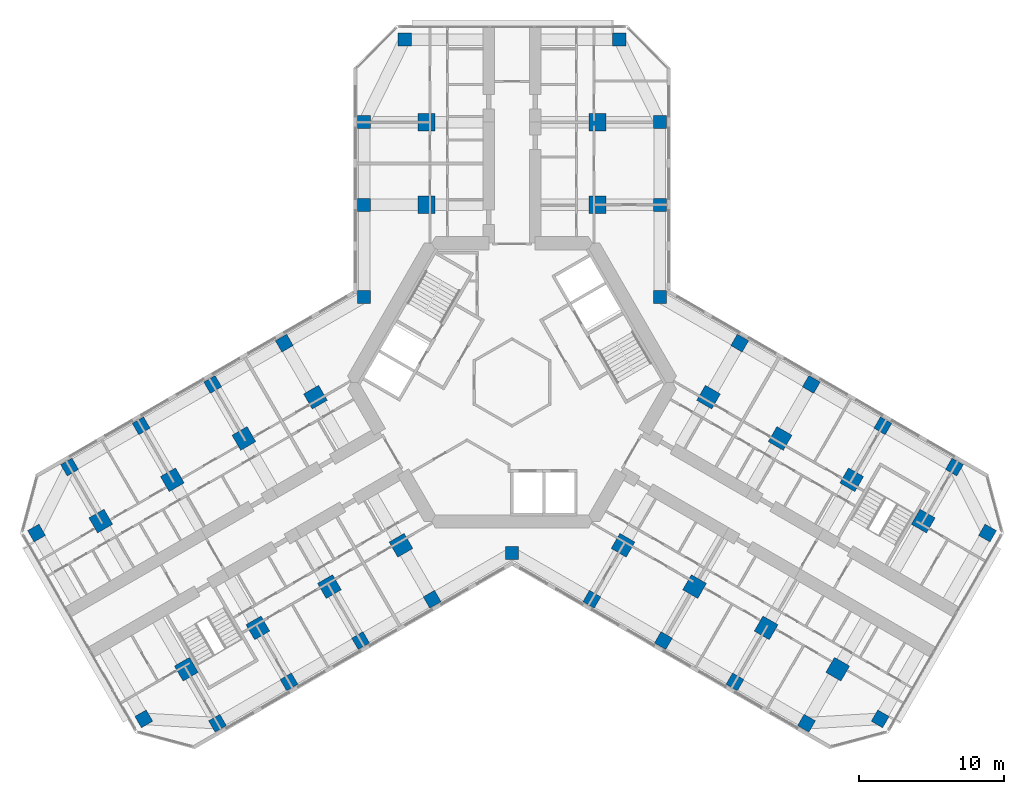
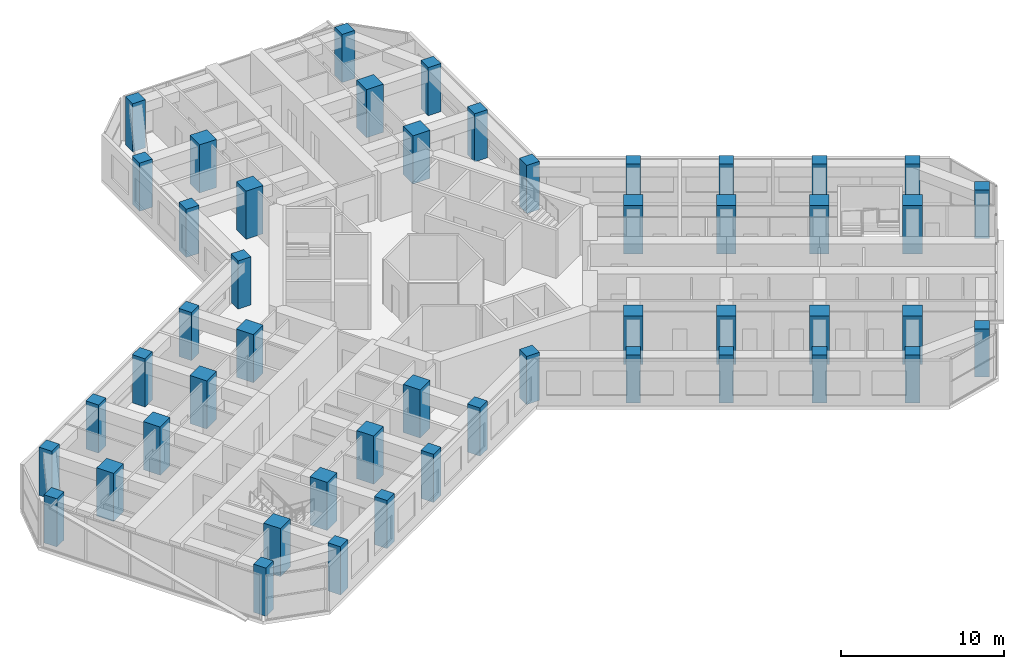
# One storey, part 1 of 19: 49 columns.
"""IFC4 building model written with IfcOpenShell, lengths in metres."""

from ifc_helpers import new_model, si_unit, direction, frame, origin, origin_2d, place, context, subcontext, project, spatial, rectangle, extrude, material, material_profile, profile_set, type_object, element, save


model = new_model("IFC4")

# Units and contexts
model_context = context("Model", 3, precision=1e-05, world=origin(), true_north=direction((0.0, 1.0)))
body_context = subcontext(model_context, "Body", "Model", "MODEL_VIEW")
ifc_project = project(units=[si_unit("LENGTHUNIT", "METRE"), si_unit("AREAUNIT", "SQUARE_METRE"), si_unit("VOLUMEUNIT", "CUBIC_METRE"), si_unit("PLANEANGLEUNIT", "RADIAN"), si_unit("MASSUNIT", "GRAM", prefix="KILO")], contexts=[model_context])

# Site, building, storey
site_placement = place(None, origin())
site = spatial("IfcSite", under=ifc_project, at=site_placement, CompositionType="ELEMENT")
building_placement = place(site_placement, origin())
building = spatial("IfcBuilding", under=site, at=building_placement, Name="Kosmar Iwan School Tower", CompositionType="ELEMENT")
storey_placement = place(building_placement, frame((0.0, 0.0, 134.60009765625)))
storey = spatial("IfcBuildingStorey", under=building, at=storey_placement, Name="L33", CompositionType="ELEMENT", Elevation=134.60009765625)

# Columns
ifc_material_1 = material(Name="Concrete C50/60", Category="concrete")
ifc_material_profile_1 = material_profile(ifc_material_1, rectangle(XDim=0.89990234375, YDim=0.89990234375, at=origin_2d()), Name="RC 900x900 + HD 400x634")
ifc_profile_set_1 = profile_set([ifc_material_profile_1], Name="Concrete C50/60")
column_type_1 = type_object("IfcColumnType", Name="Composite column 900x900 HD 400x634", PredefinedType="COLUMN", material=ifc_profile_set_1)
for number, where, z_axis, x_axis, name in (
    (1, (-10.199951171875, 12.25, 0.0), (0.0, 0.0, 1.0), (0.0, 1.0, 0.0), "Column AL1 L33"),
    (2, (-10.199951171875, 17.949951171875, 0.0), (0.0, 0.0, 1.0), (0.0, 1.0, 0.0), "Column AL2 L33"),
    (3, (-7.39990234375, 23.64990234375, 0.0), (0.0, 0.0, 1.0), (0.0, 1.0, 0.0), "Column ALTIP L33"),
    (4, (10.199951171875, 12.25, 0.0), (0.0, 0.0, 1.0), (0.0, 1.0, 0.0), "Column AR1 L33"),
    (5, (10.199951171875, 17.949951171875, 0.0), (0.0, 0.0, 1.0), (0.0, 1.0, 0.0), "Column AR2 L33"),
    (6, (7.39990234375, 23.64990234375, 0.0), (0.0, 0.0, 1.0), (0.0, 1.0, 0.0), "Column ARTIP L33"),
    (7, (-5.5087890625, -14.95849609375, 0.0), (0.0, 0.0, 1.0), (-0.866025403784, -0.5, 0.0), "Column BL1 L33"),
    (8, (-10.445068359375, -17.808349609375, 0.0), (0.0, 0.0, 1.0), (-0.866025403784, -0.5, 0.0), "Column BL2 L33"),
    (9, (-15.381591796875, -20.658447265625, 0.0), (0.0, 0.0, 1.0), (-0.866025403784, -0.5, 0.0), "Column BL3 L33"),
    (10, (-20.31787109375, -23.508544921875, 0.0), (0.0, 0.0, 1.0), (-0.866025403784, -0.5, 0.0), "Column BL4 L33"),
    (11, (-25.3984375, -23.20849609375, 0.0), (0.0, 0.0, 1.0), (-0.866025403784, -0.5, 0.0), "Column BLTIP L33"),
    (12, (-15.708740234375, 2.70849609375, 0.0), (0.0, 0.0, 1.0), (-0.866025403784, -0.5, 0.0), "Column BR1 L33"),
    (13, (-20.645263671875, -0.1416015625, 0.0), (0.0, 0.0, 1.0), (-0.866025403784, -0.5, 0.0), "Column BR2 L33"),
    (14, (-25.58154296875, -2.991455078125, 0.0), (0.0, 0.0, 1.0), (-0.866025403784, -0.5, 0.0), "Column BR3 L33"),
    (15, (-30.517822265625, -5.841552734375, 0.0), (0.0, 0.0, 1.0), (-0.866025403784, -0.5, 0.0), "Column BR4 L33"),
    (16, (-32.79833984375, -10.391357421875, 0.0), (0.0, 0.0, 1.0), (-0.866025403784, -0.5, 0.0), "Column BRTIP L33"),
    (17, (15.708740234375, 2.70849609375, 0.0), (0.0, 0.0, 1.0), (0.866025403784, -0.5, 0.0), "Column CL1 L33"),
    (18, (20.645263671875, -0.1416015625, 0.0), (0.0, 0.0, 1.0), (0.866025403784, -0.5, 0.0), "Column CL2 L33"),
    (19, (25.58154296875, -2.991455078125, 0.0), (0.0, 0.0, 1.0), (0.866025403784, -0.5, 0.0), "Column CL3 L33"),
    (20, (30.517822265625, -5.841552734375, 0.0), (0.0, 0.0, 1.0), (0.866025403784, -0.5, 0.0), "Column CL4 L33"),
    (21, (32.79833984375, -10.391357421875, 0.0), (0.0, 0.0, 1.0), (0.866025403784, -0.5, 0.0), "Column CLTIP L33"),
    (22, (5.5087890625, -14.95849609375, 0.0), (0.0, 0.0, 1.0), (0.866025403784, -0.5, 0.0), "Column CR1 L33"),
    (23, (10.445068359375, -17.808349609375, 0.0), (0.0, 0.0, 1.0), (0.866025403784, -0.5, 0.0), "Column CR2 L33"),
    (24, (15.381591796875, -20.658447265625, 0.0), (0.0, 0.0, 1.0), (0.866025403784, -0.5, 0.0), "Column CR3 L33"),
    (25, (20.31787109375, -23.508544921875, 0.0), (0.0, 0.0, 1.0), (0.866025403784, -0.5, 0.0), "Column CR4 L33"),
    (26, (25.3984375, -23.20849609375, 0.0), (0.0, 0.0, 1.0), (0.866025403784, -0.5, 0.0), "Column CRTIP L33"),
    (27, (-10.199951171875, 5.888916015625, 0.0), (0.0, 0.0, 1.0), (1.0, 0.0, 0.0), "Column RAB L33"),
    (28, (10.199951171875, 5.888916015625, 0.0), (0.0, 0.0, 1.0), (1.0, 0.0, 0.0), "Column RAC L33"),
    (29, (0.0, -11.77783203125, 0.0), (0.0, 0.0, 1.0), (1.0, 0.0, 0.0), "Column RBC L33"),
):
    element("IfcColumn", number, at=place(storey_placement, frame(where, z_axis=z_axis, x_axis=x_axis)), inside=storey, type_object=column_type_1, Name=name, PredefinedType="COLUMN", context=body_context, shape_type="SweptSolid", body=[
        extrude(rectangle(XDim=0.89990234375, YDim=0.89990234375, at=origin_2d()), origin(), (0.0, 0.0, 1.0), 3.599853515625),
    ])
ifc_material_2 = material(Name="Concrete C50/60", Category="concrete")
ifc_material_profile_2 = material_profile(ifc_material_2, rectangle(XDim=1.199951171875, YDim=1.199951171875, at=origin_2d()), Name="RC 1200x1200")
ifc_profile_set_2 = profile_set([ifc_material_profile_2], Name="Concrete C50/60")
column_type_2 = type_object("IfcColumnType", Name="RC interior column 1200x1200", PredefinedType="COLUMN", material=ifc_profile_set_2)
for number, where, z_axis, x_axis, name in (
    (30, (-5.89990234375, 12.25, 0.0), (0.0, 0.0, 1.0), (0.0, 1.0, 0.0), "Interior column ALI1 L33"),
    (31, (-5.89990234375, 17.949951171875, 0.0), (0.0, 0.0, 1.0), (0.0, 1.0, 0.0), "Interior column ALI2 L33"),
    (32, (5.89990234375, 12.25, 0.0), (0.0, 0.0, 1.0), (0.0, 1.0, 0.0), "Interior column ARI1 L33"),
    (33, (5.89990234375, 17.949951171875, 0.0), (0.0, 0.0, 1.0), (0.0, 1.0, 0.0), "Interior column ARI2 L33"),
    (34, (-7.65869140625, -11.234619140625, 0.0), (0.0, 0.0, 1.0), (-0.866025403784, -0.5, 0.0), "Interior column BLI1 L33"),
    (35, (-12.59521484375, -14.08447265625, 0.0), (0.0, 0.0, 1.0), (-0.866025403784, -0.5, 0.0), "Interior column BLI2 L33"),
    (36, (-17.531494140625, -16.9345703125, 0.0), (0.0, 0.0, 1.0), (-0.866025403784, -0.5, 0.0), "Interior column BLI3 L33"),
    (37, (-22.4677734375, -19.78466796875, 0.0), (0.0, 0.0, 1.0), (-0.866025403784, -0.5, 0.0), "Interior column BLI4 L33"),
    (38, (-13.558837890625, -1.015380859375, 0.0), (0.0, 0.0, 1.0), (-0.866025403784, -0.5, 0.0), "Interior column BRI1 L33"),
    (39, (-18.4951171875, -3.865478515625, 0.0), (0.0, 0.0, 1.0), (-0.866025403784, -0.5, 0.0), "Interior column BRI2 L33"),
    (40, (-23.431396484375, -6.71533203125, 0.0), (0.0, 0.0, 1.0), (-0.866025403784, -0.5, 0.0), "Interior column BRI3 L33"),
    (41, (-28.367919921875, -9.5654296875, 0.0), (0.0, 0.0, 1.0), (-0.866025403784, -0.5, 0.0), "Interior column BRI4 L33"),
    (42, (13.558837890625, -1.015380859375, 0.0), (0.0, 0.0, 1.0), (0.866025403784, -0.5, 0.0), "Interior column CLI1 L33"),
    (43, (18.4951171875, -3.865478515625, 0.0), (0.0, 0.0, 1.0), (0.866025403784, -0.5, 0.0), "Interior column CLI2 L33"),
    (44, (23.431396484375, -6.71533203125, 0.0), (0.0, 0.0, 1.0), (0.866025403784, -0.5, 0.0), "Interior column CLI3 L33"),
    (45, (28.367919921875, -9.5654296875, 0.0), (0.0, 0.0, 1.0), (0.866025403784, -0.5, 0.0), "Interior column CLI4 L33"),
    (46, (7.65869140625, -11.234619140625, 0.0), (0.0, 0.0, 1.0), (0.866025403784, -0.5, 0.0), "Interior column CRI1 L33"),
    (47, (12.59521484375, -14.08447265625, 0.0), (0.0, 0.0, 1.0), (0.866025403784, -0.5, 0.0), "Interior column CRI2 L33"),
    (48, (17.531494140625, -16.9345703125, 0.0), (0.0, 0.0, 1.0), (0.866025403784, -0.5, 0.0), "Interior column CRI3 L33"),
    (49, (22.4677734375, -19.78466796875, 0.0), (0.0, 0.0, 1.0), (0.866025403784, -0.5, 0.0), "Interior column CRI4 L33"),
):
    element("IfcColumn", number, at=place(storey_placement, frame(where, z_axis=z_axis, x_axis=x_axis)), inside=storey, type_object=column_type_2, Name=name, PredefinedType="COLUMN", context=body_context, shape_type="SweptSolid", body=[
        extrude(rectangle(XDim=1.199951171875, YDim=1.199951171875, at=origin_2d()), origin(), (0.0, 0.0, 1.0), 3.599853515625),
    ])

save(model, "model.ifc")
